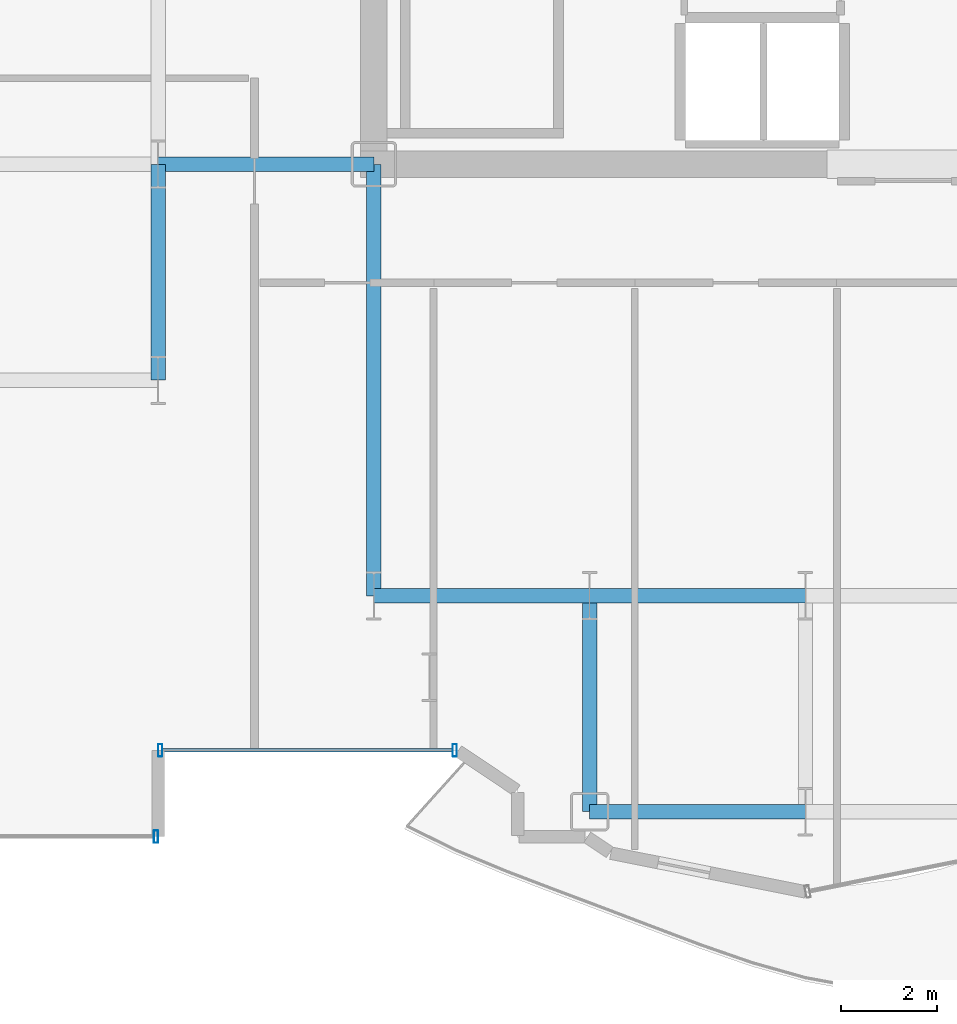
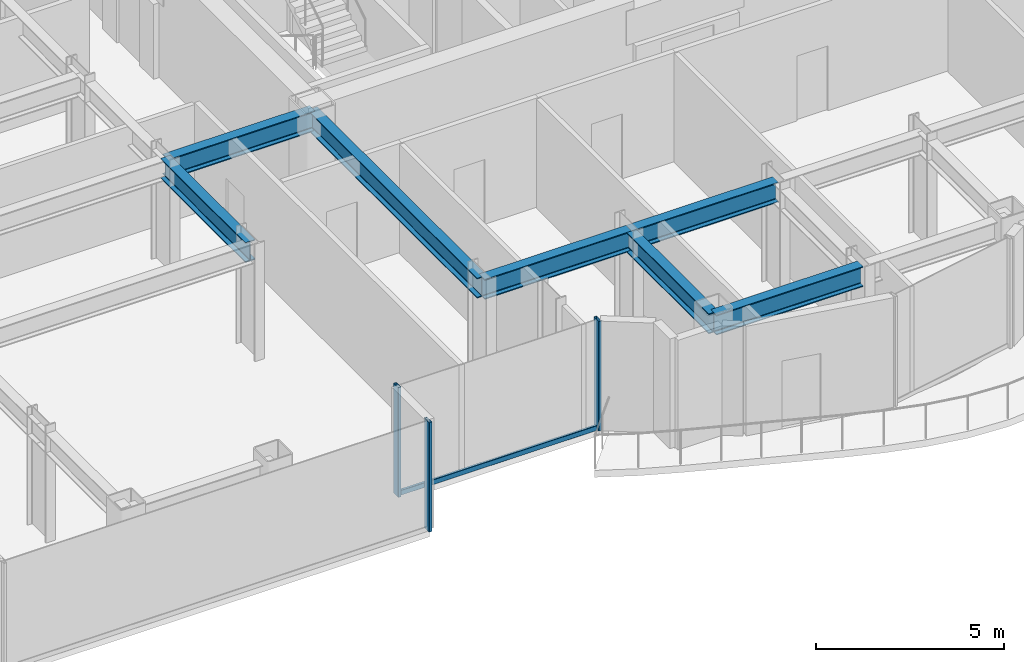
# One storey, part 4 of 29: 7 beams, 4 members, 2 elements without a shape of their own.
"""IFC4 building model written with IfcOpenShell, lengths in metres."""

from ifc_helpers import new_model, si_unit, direction, frame, origin, origin_2d, place, context, subcontext, project, spatial, hollow_rectangle, i_section, extrude, source, transform, mapped, material, layer, layer_set, material_profile, profile_set, type_object, element, aggregate, save


model = new_model("IFC4")

# Units and contexts
model_context = context("Model", 3, precision=1e-05, world=origin(), true_north=direction((0.0, 1.0)))
body_context = subcontext(model_context, "Body", "Model", "MODEL_VIEW")
ifc_project = project(units=[si_unit("LENGTHUNIT", "METRE"), si_unit("AREAUNIT", "SQUARE_METRE"), si_unit("VOLUMEUNIT", "CUBIC_METRE"), si_unit("PLANEANGLEUNIT", "RADIAN"), si_unit("MASSUNIT", "GRAM", prefix="KILO")], contexts=[model_context])

# Site, building, storey
site_placement = place(None, origin())
site = spatial("IfcSite", under=ifc_project, at=site_placement, CompositionType="ELEMENT")
building_placement = place(site_placement, origin())
building = spatial("IfcBuilding", under=site, at=building_placement, Name="Nefas-Gora Pilgrimage Tower", CompositionType="ELEMENT")
storey_placement = place(building_placement, frame((0.0, 0.0, 136.39990234375)))
storey = spatial("IfcBuildingStorey", under=building, at=storey_placement, Name="L33", CompositionType="ELEMENT", Elevation=136.39990234375)

# Beams
ifc_material_1 = material(Name="Steel S355", Category="steel")
ifc_material_profile_1 = material_profile(ifc_material_1, i_section(OverallWidth=0.300048828125, OverallDepth=0.64990234375, WebThickness=0.01611328125, FlangeThickness=0.031005859375, FilletRadius=0.027099609375, at=origin_2d()), Name="HEB 650")
ifc_profile_set_1 = profile_set([ifc_material_profile_1], Name="Steel S355")
beam_type = type_object("IfcBeamType", Name="BM-GIR-HEB650", PredefinedType="BEAM", material=ifc_profile_set_1)
shared_shape_1 = source(origin(), body_context, "Body", "SweptSolid", [
    extrude(i_section(OverallWidth=0.300048828125, OverallDepth=0.64990234375, WebThickness=0.01611328125, FlangeThickness=0.031005859375, FilletRadius=0.027099609375, at=origin_2d()), origin(), (0.0, 0.0, 1.0), 9.0),
])
beam_placement = place(storey_placement, frame((-11.25, -18.0, 3.22509765625), z_axis=(0.0, 1.0, 0.0), x_axis=(-1.0, 0.0, 0.0)))
element("IfcBeam", 1, at=beam_placement, inside=storey, type_object=beam_type, Name="L33 G-03 beam", PredefinedType="BEAM", context=body_context, shape_type="MappedRepresentation", body=[
    mapped(shared_shape_1, transform((0.0, 0.0, 0.0), x_axis=(1.0, 0.0, 0.0), y_axis=(0.0, 1.0, 0.0), z_axis=(0.0, 0.0, 1.0), scale=1.0)),
])
shared_shape_2 = source(origin(), body_context, "Body", "SweptSolid", [
    extrude(i_section(OverallWidth=0.300048828125, OverallDepth=0.64990234375, WebThickness=0.01611328125, FlangeThickness=0.031005859375, FilletRadius=0.027099609375, at=origin_2d()), origin(), (0.0, 0.0, 1.0), 4.5),
])
for number, where, z_axis, x_axis, name in (
    (2, (-15.75, -13.5, 3.22509765625), (0.0, 1.0, 0.0), (-1.0, 0.0, 0.0), "L33 G-03 beam"),
    (3, (-15.75, -9.0, 3.22509765625), (1.0, 0.0, 0.0), (0.0, 1.0, 0.0), "L33 G-03 beam"),
    (4, (-11.25, -18.0, 3.22509765625), (1.0, 0.0, 0.0), (0.0, 1.0, 0.0), "L33 G-03 beam"),
    (5, (-6.75, -22.5, 3.22509765625), (0.0, 1.0, 0.0), (-1.0, 0.0, 0.0), "L33 G-03 beam"),
    (6, (-6.75, -22.5, 3.22509765625), (1.0, 0.0, 0.0), (0.0, 1.0, 0.0), "L33 G-03 beam"),
    (7, (-6.75, -18.0, 3.22509765625), (1.0, 0.0, 0.0), (0.0, 1.0, 0.0), "L33 G-03 beam"),
):
    element("IfcBeam", number, at=place(storey_placement, frame(where, z_axis=z_axis, x_axis=x_axis)), inside=storey, type_object=beam_type, Name=name, PredefinedType="BEAM", context=body_context, shape_type="MappedRepresentation", body=[
        mapped(shared_shape_2, transform((0.0, 0.0, 0.0), x_axis=(1.0, 0.0, 0.0), y_axis=(0.0, 1.0, 0.0), z_axis=(0.0, 0.0, 1.0), scale=1.0)),
    ])

# Curtain wall, members
ifc_material_2 = material(Name="Dark ceramic-fritted solar-control aluminium-glass curtain wall", Category="aluminium")
ifc_layer_1 = layer(ifc_material_2, 0.219970703125)
ifc_layer_set_1 = layer_set([ifc_layer_1], Name="Dark ceramic-fritted solar-control aluminium-glass curtain wall")
curtain_wall_type_1 = type_object("IfcCurtainWallType", Name="CW-SYS-5", PredefinedType="NOTDEFINED", material=ifc_layer_set_1)
curtain_wall_1_placement = place(storey_placement, origin())
curtain_wall_1 = element("IfcCurtainWall", 8, at=curtain_wall_1_placement, inside=storey, type_object=curtain_wall_type_1, Name="L33 Unitised Curtain Wall CW5", PredefinedType="NOTDEFINED")
ifc_material_3 = material(Name="Anodised architectural aluminium", Category="aluminium")
ifc_material_profile_2 = material_profile(ifc_material_3, hollow_rectangle(XDim=0.090087890625, YDim=0.260009765625, WallThickness=0.006103515625, InnerFilletRadius=0.006103515625, OuterFilletRadius=0.011962890625, at=origin_2d()), Name="ALU MULLION 90x260")
ifc_profile_set_2 = profile_set([ifc_material_profile_2], Name="Anodised architectural aluminium")
member_type_1 = type_object("IfcMemberType", Name="CWM-MUL-5", PredefinedType="MULLION", material=ifc_profile_set_2)
shared_shape_3 = source(origin(), body_context, "Body", "SweptSolid", [
    extrude(hollow_rectangle(XDim=0.090087890625, YDim=0.260009765625, WallThickness=0.006103515625, InnerFilletRadius=0.006103515625, OuterFilletRadius=0.011962890625, at=origin_2d()), origin(), (0.0, 0.0, 1.0), 3.550048828125),
])
member_1_placement = place(storey_placement, frame((-15.705078125, -21.219970703125, 0.0), z_axis=(0.0, 0.0, 1.0), x_axis=(1.0, 0.0, 0.0)))
member_1 = element("IfcMember", 9, at=member_1_placement, type_object=member_type_1, Name="CW5 Mullion 1", PredefinedType="MULLION", context=body_context, shape_type="MappedRepresentation", body=[
    mapped(shared_shape_3, transform((0.0, 0.0, 0.0), x_axis=(1.0, 0.0, 0.0), y_axis=(0.0, 1.0, 0.0), z_axis=(0.0, 0.0, 1.0), scale=1.0)),
])
member_2_placement = place(storey_placement, frame((-9.56298828125, -21.219970703125, 0.0), z_axis=(0.0, 0.0, 1.0), x_axis=(1.0, 0.0, 0.0)))
member_2 = element("IfcMember", 10, at=member_2_placement, type_object=member_type_1, Name="CW5 Mullion 2", PredefinedType="MULLION", context=body_context, shape_type="MappedRepresentation", body=[
    mapped(shared_shape_3, transform((0.0, 0.0, 0.0), x_axis=(1.0, 0.0, 0.0), y_axis=(0.0, 1.0, 0.0), z_axis=(0.0, 0.0, 1.0), scale=1.0)),
])
ifc_material_profile_3 = material_profile(ifc_material_3, hollow_rectangle(XDim=0.080078125, YDim=0.159912109375, WallThickness=0.00439453125, InnerFilletRadius=0.00439453125, OuterFilletRadius=0.009033203125, at=origin_2d()), Name="ALU TRANSOM 80x160")
ifc_profile_set_3 = profile_set([ifc_material_profile_3], Name="Anodised architectural aluminium")
member_type_2 = type_object("IfcMemberType", Name="CWM-TRN-5", PredefinedType="USERDEFINED", material=ifc_profile_set_3)
shared_shape_4 = source(origin(), body_context, "Body", "SweptSolid", [
    extrude(hollow_rectangle(XDim=0.080078125, YDim=0.159912109375, WallThickness=0.00439453125, InnerFilletRadius=0.00439453125, OuterFilletRadius=0.009033203125, at=origin_2d()), origin(), (0.0, 0.0, 1.0), 6.052001953125),
])
member_3_placement = place(storey_placement, frame((-15.659912109375, -21.219970703125, 0.050048828125), z_axis=(1.0, 0.0, 0.0), x_axis=(0.0, 1.0, 0.0)))
member_3 = element("IfcMember", 11, at=member_3_placement, type_object=member_type_2, Name="CW5 Spandrel Transom", ObjectType="TRANSOM", PredefinedType="USERDEFINED", context=body_context, shape_type="MappedRepresentation", body=[
    mapped(shared_shape_4, transform((0.0, 0.0, 0.0), x_axis=(1.0, 0.0, 0.0), y_axis=(0.0, 1.0, 0.0), z_axis=(0.0, 0.0, 1.0), scale=1.0)),
])
aggregate(curtain_wall_1, [member_1, member_2, member_3])

# Curtain wall, member
ifc_layer_2 = layer(ifc_material_2, 0.219970703125)
ifc_layer_set_2 = layer_set([ifc_layer_2], Name="Dark ceramic-fritted solar-control aluminium-glass curtain wall")
curtain_wall_type_2 = type_object("IfcCurtainWallType", Name="CW-SYS-2", PredefinedType="NOTDEFINED", material=ifc_layer_set_2)
curtain_wall_2_placement = place(storey_placement, origin())
curtain_wall_2 = element("IfcCurtainWall", 12, at=curtain_wall_2_placement, inside=storey, type_object=curtain_wall_type_2, Name="L33 Unitised Curtain Wall CW2", PredefinedType="NOTDEFINED")
ifc_material_profile_4 = material_profile(ifc_material_3, hollow_rectangle(XDim=0.090087890625, YDim=0.260009765625, WallThickness=0.006103515625, InnerFilletRadius=0.006103515625, OuterFilletRadius=0.011962890625, at=origin_2d()), Name="ALU MULLION 90x260")
ifc_profile_set_4 = profile_set([ifc_material_profile_4], Name="Anodised architectural aluminium")
member_type_3 = type_object("IfcMemberType", Name="CWM-MUL-2", PredefinedType="MULLION", material=ifc_profile_set_4)
shared_shape_5 = source(origin(), body_context, "Body", "SweptSolid", [
    extrude(hollow_rectangle(XDim=0.090087890625, YDim=0.260009765625, WallThickness=0.006103515625, InnerFilletRadius=0.006103515625, OuterFilletRadius=0.011962890625, at=origin_2d()), origin(), (0.0, 0.0, 1.0), 3.550048828125),
])
member_4_placement = place(storey_placement, frame((-15.794921875, -23.02001953125, 0.0), z_axis=(0.0, 0.0, 1.0), x_axis=(1.0, 0.0, 0.0)))
member_4 = element("IfcMember", 13, at=member_4_placement, type_object=member_type_3, Name="CW2 Mullion 2", PredefinedType="MULLION", context=body_context, shape_type="MappedRepresentation", body=[
    mapped(shared_shape_5, transform((0.0, 0.0, 0.0), x_axis=(1.0, 0.0, 0.0), y_axis=(0.0, 1.0, 0.0), z_axis=(0.0, 0.0, 1.0), scale=1.0)),
])
aggregate(curtain_wall_2, [member_4])

save(model, "model.ifc")
